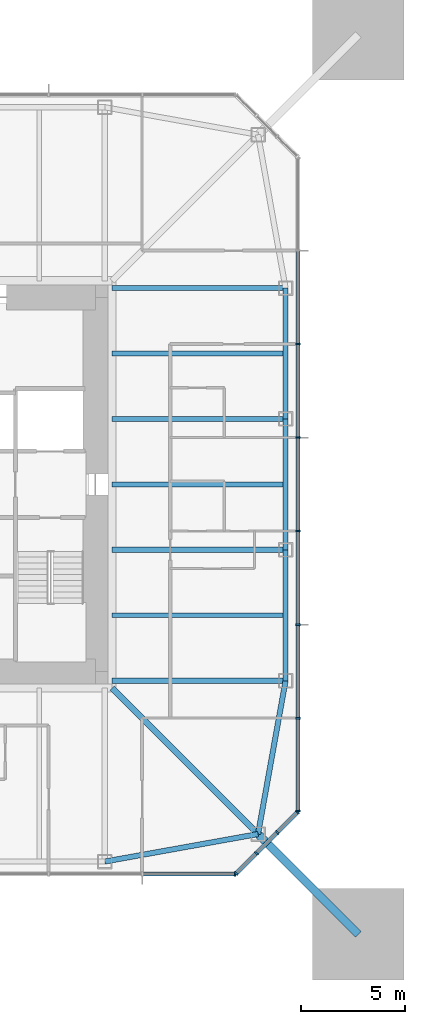
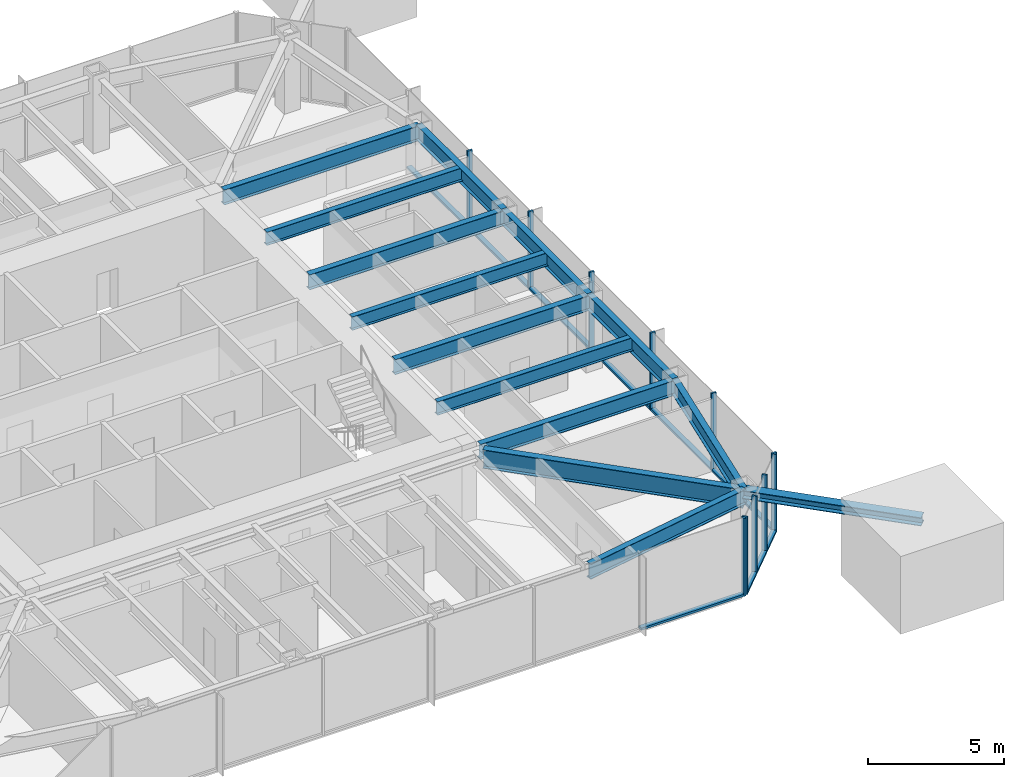
# One storey, part 3 of 11: 22 members, 13 beams, 3 elements without a shape of their own.
"""IFC4 building model written with IfcOpenShell, lengths in metres."""

from ifc_helpers import new_model, si_unit, direction, frame, origin, origin_2d, place, context, subcontext, project, spatial, rectangle, i_section, extrude, material, material_profile, profile_set, type_object, element, aggregate, save


model = new_model("IFC4")

# Units and contexts
model_context = context("Model", 3, precision=1e-05, world=origin(), true_north=direction((0.0, 1.0)))
body_context = subcontext(model_context, "Body", "Model", "MODEL_VIEW")
ifc_project = project(units=[si_unit("LENGTHUNIT", "METRE"), si_unit("AREAUNIT", "SQUARE_METRE"), si_unit("VOLUMEUNIT", "CUBIC_METRE"), si_unit("PLANEANGLEUNIT", "RADIAN"), si_unit("MASSUNIT", "GRAM", prefix="KILO")], contexts=[model_context])

# Site, building, storey
site_placement = place(None, origin())
site = spatial("IfcSite", under=ifc_project, at=site_placement, CompositionType="ELEMENT")
building_placement = place(site_placement, origin())
building = spatial("IfcBuilding", under=site, at=building_placement, Name="Iwan Alto Co-Living Towers", CompositionType="ELEMENT")
storey_placement = place(building_placement, frame((0.0, 0.0, 170.5)))
storey = spatial("IfcBuildingStorey", under=building, at=storey_placement, Name="L46", CompositionType="ELEMENT", Elevation=170.5)

# Curtain wall, member
ifc_material_1 = material(Name="Bronze aluminium unitised frame", Category="aluminium")
curtain_wall_type_1 = type_object("IfcCurtainWallType", Name="CURTAIN WALL CW-A", PredefinedType="NOTDEFINED", material=ifc_material_1)
curtain_wall_1_placement = place(storey_placement, origin())
curtain_wall_1 = element("IfcCurtainWall", 1, at=curtain_wall_1_placement, inside=storey, type_object=curtain_wall_type_1, Name="T1 curtain wall S L46", PredefinedType="NOTDEFINED")
ifc_material_2 = material(Name="Aluminium 6063-T6 bronze anodised", Category="aluminium")
ifc_material_profile_1 = material_profile(ifc_material_2, rectangle(XDim=0.199951171875, YDim=0.080078125, at=origin_2d()), Name="AL 80X200")
ifc_profile_set_1 = profile_set([ifc_material_profile_1], Name="Aluminium 6063-T6 bronze anodised")
member_type_1 = type_object("IfcMemberType", Name="CW-A MULLION 80X200", PredefinedType="MULLION", material=ifc_profile_set_1)
member_1_placement = place(storey_placement, frame((15.7099609375, -18.75, 0.0), z_axis=(0.0, 0.0, 1.0), x_axis=(0.0, 1.0, 0.0)))
member_1 = element("IfcMember", 2, at=member_1_placement, type_object=member_type_1, Name="CW-A mullion 8", PredefinedType="MULLION", context=body_context, shape_type="SweptSolid", body=[
    extrude(rectangle(XDim=0.199951171875, YDim=0.080078125, at=origin_2d()), origin(), (0.0, 0.0, 1.0), 3.5),
])

# Curtain wall, members
curtain_wall_2_placement = place(storey_placement, origin())
curtain_wall_2 = element("IfcCurtainWall", 3, at=curtain_wall_2_placement, inside=storey, type_object=curtain_wall_type_1, Name="T1 curtain wall E L46", PredefinedType="NOTDEFINED")
member_2_placement = place(storey_placement, frame((18.75, -15.7099609375, 0.0), z_axis=(0.0, 0.0, 1.0), x_axis=(-1.0, 0.0, 0.0)))
member_2 = element("IfcMember", 4, at=member_2_placement, type_object=member_type_1, Name="CW-A mullion 1", PredefinedType="MULLION", context=body_context, shape_type="SweptSolid", body=[
    extrude(rectangle(XDim=0.199951171875, YDim=0.080078125, at=origin_2d()), origin(), (0.0, 0.0, 1.0), 3.5),
])
member_3_placement = place(storey_placement, frame((18.75, -11.25, 0.0), z_axis=(0.0, 0.0, 1.0), x_axis=(-1.0, 0.0, 0.0)))
member_3 = element("IfcMember", 5, at=member_3_placement, type_object=member_type_1, Name="CW-A mullion 2", PredefinedType="MULLION", context=body_context, shape_type="SweptSolid", body=[
    extrude(rectangle(XDim=0.199951171875, YDim=0.080078125, at=origin_2d()), origin(), (0.0, 0.0, 1.0), 3.5),
])
member_4_placement = place(storey_placement, frame((18.75, -6.75, 0.0), z_axis=(0.0, 0.0, 1.0), x_axis=(-1.0, 0.0, 0.0)))
member_4 = element("IfcMember", 6, at=member_4_placement, type_object=member_type_1, Name="CW-A mullion 3", PredefinedType="MULLION", context=body_context, shape_type="SweptSolid", body=[
    extrude(rectangle(XDim=0.199951171875, YDim=0.080078125, at=origin_2d()), origin(), (0.0, 0.0, 1.0), 3.5),
])
member_5_placement = place(storey_placement, frame((18.75, -2.25, 0.0), z_axis=(0.0, 0.0, 1.0), x_axis=(-1.0, 0.0, 0.0)))
member_5 = element("IfcMember", 7, at=member_5_placement, type_object=member_type_1, Name="CW-A mullion 4", PredefinedType="MULLION", context=body_context, shape_type="SweptSolid", body=[
    extrude(rectangle(XDim=0.199951171875, YDim=0.080078125, at=origin_2d()), origin(), (0.0, 0.0, 1.0), 3.5),
])
member_6_placement = place(storey_placement, frame((18.75, 2.25, 0.0), z_axis=(0.0, 0.0, 1.0), x_axis=(-1.0, 0.0, 0.0)))
member_6 = element("IfcMember", 8, at=member_6_placement, type_object=member_type_1, Name="CW-A mullion 5", PredefinedType="MULLION", context=body_context, shape_type="SweptSolid", body=[
    extrude(rectangle(XDim=0.199951171875, YDim=0.080078125, at=origin_2d()), origin(), (0.0, 0.0, 1.0), 3.5),
])
member_7_placement = place(storey_placement, frame((18.75, 6.75, 0.0), z_axis=(0.0, 0.0, 1.0), x_axis=(-1.0, 0.0, 0.0)))
member_7 = element("IfcMember", 9, at=member_7_placement, type_object=member_type_1, Name="CW-A mullion 6", PredefinedType="MULLION", context=body_context, shape_type="SweptSolid", body=[
    extrude(rectangle(XDim=0.199951171875, YDim=0.080078125, at=origin_2d()), origin(), (0.0, 0.0, 1.0), 3.5),
])

# Member
ifc_material_3 = material(Name="Aluminium 6063-T6 bronze anodised", Category="aluminium")
ifc_material_profile_2 = material_profile(ifc_material_3, rectangle(XDim=0.199951171875, YDim=0.10009765625, at=origin_2d()), Name="AL 200X100")
ifc_profile_set_2 = profile_set([ifc_material_profile_2], Name="Aluminium 6063-T6 bronze anodised")
member_type_2 = type_object("IfcMemberType", Name="CW-A TRANSOM 200X100", PredefinedType="USERDEFINED", material=ifc_profile_set_2)
member_8_placement = place(storey_placement, frame((11.2900390625, -18.75, 0.050048828125), z_axis=(1.0, 0.0, 0.0), x_axis=(0.0, 1.0, 0.0)))
member_8 = element("IfcMember", 10, at=member_8_placement, type_object=member_type_2, Name="CW-A transom 7.1", ObjectType="TRANSOM", PredefinedType="USERDEFINED", context=body_context, shape_type="SweptSolid", body=[
    extrude(rectangle(XDim=0.199951171875, YDim=0.10009765625, at=origin_2d()), origin(), (0.0, 0.0, 1.0), 4.3798828125),
])

aggregate(curtain_wall_1, [member_1, member_8])

member_9_placement = place(storey_placement, frame((18.75, -15.669921875, 0.050048828125), z_axis=(0.0, 1.0, 0.0), x_axis=(-1.0, 0.0, 0.0)))
member_9 = element("IfcMember", 11, at=member_9_placement, type_object=member_type_2, Name="CW-A transom 1.1", ObjectType="TRANSOM", PredefinedType="USERDEFINED", context=body_context, shape_type="SweptSolid", body=[
    extrude(rectangle(XDim=0.199951171875, YDim=0.10009765625, at=origin_2d()), origin(), (0.0, 0.0, 1.0), 4.3798828125),
])

member_10_placement = place(storey_placement, frame((18.75, -11.2099609375, 0.050048828125), z_axis=(0.0, 1.0, 0.0), x_axis=(-1.0, 0.0, 0.0)))
member_10 = element("IfcMember", 12, at=member_10_placement, type_object=member_type_2, Name="CW-A transom 2.1", ObjectType="TRANSOM", PredefinedType="USERDEFINED", context=body_context, shape_type="SweptSolid", body=[
    extrude(rectangle(XDim=0.199951171875, YDim=0.10009765625, at=origin_2d()), origin(), (0.0, 0.0, 1.0), 4.419921875),
])

member_11_placement = place(storey_placement, frame((18.75, -6.7099609375, 0.050048828125), z_axis=(0.0, 1.0, 0.0), x_axis=(-1.0, 0.0, 0.0)))
member_11 = element("IfcMember", 13, at=member_11_placement, type_object=member_type_2, Name="CW-A transom 3.1", ObjectType="TRANSOM", PredefinedType="USERDEFINED", context=body_context, shape_type="SweptSolid", body=[
    extrude(rectangle(XDim=0.199951171875, YDim=0.10009765625, at=origin_2d()), origin(), (0.0, 0.0, 1.0), 4.419921875),
])

member_12_placement = place(storey_placement, frame((18.75, -2.2099609375, 0.050048828125), z_axis=(0.0, 1.0, 0.0), x_axis=(-1.0, 0.0, 0.0)))
member_12 = element("IfcMember", 14, at=member_12_placement, type_object=member_type_2, Name="CW-A transom 4.1", ObjectType="TRANSOM", PredefinedType="USERDEFINED", context=body_context, shape_type="SweptSolid", body=[
    extrude(rectangle(XDim=0.199951171875, YDim=0.10009765625, at=origin_2d()), origin(), (0.0, 0.0, 1.0), 4.419921875),
])

member_13_placement = place(storey_placement, frame((18.75, 2.2900390625, 0.050048828125), z_axis=(0.0, 1.0, 0.0), x_axis=(-1.0, 0.0, 0.0)))
member_13 = element("IfcMember", 15, at=member_13_placement, type_object=member_type_2, Name="CW-A transom 5.1", ObjectType="TRANSOM", PredefinedType="USERDEFINED", context=body_context, shape_type="SweptSolid", body=[
    extrude(rectangle(XDim=0.199951171875, YDim=0.10009765625, at=origin_2d()), origin(), (0.0, 0.0, 1.0), 4.419921875),
])

member_14_placement = place(storey_placement, frame((18.75, 6.7900390625, 0.050048828125), z_axis=(0.0, 1.0, 0.0), x_axis=(-1.0, 0.0, 0.0)))
member_14 = element("IfcMember", 16, at=member_14_placement, type_object=member_type_2, Name="CW-A transom 6.1", ObjectType="TRANSOM", PredefinedType="USERDEFINED", context=body_context, shape_type="SweptSolid", body=[
    extrude(rectangle(XDim=0.199951171875, YDim=0.10009765625, at=origin_2d()), origin(), (0.0, 0.0, 1.0), 4.419921875),
])

aggregate(curtain_wall_2, [member_2, member_3, member_4, member_5, member_6, member_7, member_9, member_10, member_11, member_12, member_13, member_14])

# Curtain wall, members
ifc_material_4 = material(Name="Bronze aluminium unitised frame", Category="aluminium")
curtain_wall_type_2 = type_object("IfcCurtainWallType", Name="CURTAIN WALL CW-B", PredefinedType="NOTDEFINED", material=ifc_material_4)
curtain_wall_3_placement = place(storey_placement, origin())
curtain_wall_3 = element("IfcCurtainWall", 17, at=curtain_wall_3_placement, inside=storey, type_object=curtain_wall_type_2, Name="T1 chamfer curtain wall SE L46", PredefinedType="NOTDEFINED")
ifc_material_5 = material(Name="Aluminium 6063-T6 bronze anodised", Category="aluminium")
ifc_material_profile_3 = material_profile(ifc_material_5, rectangle(XDim=0.199951171875, YDim=0.080078125, at=origin_2d()), Name="AL 80X200")
ifc_profile_set_3 = profile_set([ifc_material_profile_3], Name="Aluminium 6063-T6 bronze anodised")
member_type_3 = type_object("IfcMemberType", Name="CW-B MULLION 80X200", PredefinedType="MULLION", material=ifc_profile_set_3)
member_15_placement = place(storey_placement, frame((15.7783203125, -18.7216796875, 0.0), z_axis=(0.0, 0.0, 1.0), x_axis=(-0.707106781187, 0.707106781187, 0.0)))
member_15 = element("IfcMember", 18, at=member_15_placement, type_object=member_type_3, Name="CW-B mullion 1", PredefinedType="MULLION", context=body_context, shape_type="SweptSolid", body=[
    extrude(rectangle(XDim=0.199951171875, YDim=0.080078125, at=origin_2d()), origin(), (0.0, 0.0, 1.0), 3.5),
])
member_16_placement = place(storey_placement, frame((16.75, -17.75, 0.0), z_axis=(0.0, 0.0, 1.0), x_axis=(-0.707106781187, 0.707106781187, 0.0)))
member_16 = element("IfcMember", 19, at=member_16_placement, type_object=member_type_3, Name="CW-B mullion 2", PredefinedType="MULLION", context=body_context, shape_type="SweptSolid", body=[
    extrude(rectangle(XDim=0.199951171875, YDim=0.080078125, at=origin_2d()), origin(), (0.0, 0.0, 1.0), 3.5),
])
member_17_placement = place(storey_placement, frame((17.75, -16.75, 0.0), z_axis=(0.0, 0.0, 1.0), x_axis=(-0.707106781187, 0.707106781187, 0.0)))
member_17 = element("IfcMember", 20, at=member_17_placement, type_object=member_type_3, Name="CW-B mullion 3", PredefinedType="MULLION", context=body_context, shape_type="SweptSolid", body=[
    extrude(rectangle(XDim=0.199951171875, YDim=0.080078125, at=origin_2d()), origin(), (0.0, 0.0, 1.0), 3.5),
])
member_18_placement = place(storey_placement, frame((18.7216796875, -15.7783203125, 0.0), z_axis=(0.0, 0.0, 1.0), x_axis=(-0.707106781187, 0.707106781187, 0.0)))
member_18 = element("IfcMember", 21, at=member_18_placement, type_object=member_type_3, Name="CW-B mullion 4", PredefinedType="MULLION", context=body_context, shape_type="SweptSolid", body=[
    extrude(rectangle(XDim=0.199951171875, YDim=0.080078125, at=origin_2d()), origin(), (0.0, 0.0, 1.0), 3.5),
])
ifc_material_6 = material(Name="Aluminium 6063-T6 bronze anodised", Category="aluminium")
ifc_material_profile_4 = material_profile(ifc_material_6, rectangle(XDim=0.199951171875, YDim=0.10009765625, at=origin_2d()), Name="AL 200X100")
ifc_profile_set_4 = profile_set([ifc_material_profile_4], Name="Aluminium 6063-T6 bronze anodised")
member_type_4 = type_object("IfcMemberType", Name="CW-B TRANSOM 200X100", PredefinedType="USERDEFINED", material=ifc_profile_set_4)
member_19_placement = place(storey_placement, frame((15.806640625, -18.693359375, 0.050048828125), z_axis=(0.707106781187, 0.707106781187, 0.0), x_axis=(-0.707106781187, 0.707106781187, 0.0)))
member_19 = element("IfcMember", 22, at=member_19_placement, type_object=member_type_4, Name="CW-B transom 1.1", ObjectType="TRANSOM", PredefinedType="USERDEFINED", context=body_context, shape_type="SweptSolid", body=[
    extrude(rectangle(XDim=0.199951171875, YDim=0.10009765625, at=origin_2d()), origin(), (0.0, 0.0, 1.0), 1.2939453125),
])
member_20_placement = place(storey_placement, frame((16.7783203125, -17.7216796875, 0.050048828125), z_axis=(0.707106781187, 0.707106781187, 0.0), x_axis=(-0.707106781187, 0.707106781187, 0.0)))
member_20 = element("IfcMember", 23, at=member_20_placement, type_object=member_type_4, Name="CW-B transom 2.1", ObjectType="TRANSOM", PredefinedType="USERDEFINED", context=body_context, shape_type="SweptSolid", body=[
    extrude(rectangle(XDim=0.199951171875, YDim=0.10009765625, at=origin_2d()), origin(), (0.0, 0.0, 1.0), 1.334228515625),
])
member_21_placement = place(storey_placement, frame((17.7783203125, -16.7216796875, 0.050048828125), z_axis=(0.707106781187, 0.707106781187, 0.0), x_axis=(-0.707106781187, 0.707106781187, 0.0)))
member_21 = element("IfcMember", 24, at=member_21_placement, type_object=member_type_4, Name="CW-B transom 3.1", ObjectType="TRANSOM", PredefinedType="USERDEFINED", context=body_context, shape_type="SweptSolid", body=[
    extrude(rectangle(XDim=0.199951171875, YDim=0.10009765625, at=origin_2d()), origin(), (0.0, 0.0, 1.0), 1.2939453125),
])
aggregate(curtain_wall_3, [member_15, member_16, member_17, member_18, member_19, member_20, member_21])

# Beams
ifc_material_7 = material(Name="Steel ASTM A992 Gr 50", Category="steel")
ifc_material_profile_5 = material_profile(ifc_material_7, i_section(OverallWidth=0.2919921875, OverallDepth=0.8408203125, WebThickness=0.0146484375, FlangeThickness=0.021728515625, at=origin_2d()), Name="W33X130")
ifc_profile_set_5 = profile_set([ifc_material_profile_5], Name="Steel ASTM A992 Gr 50")
beam_type_1 = type_object("IfcBeamType", Name="T1 CORNER GIRDER W33X130", PredefinedType="BEAM", material=ifc_profile_set_5)
beam_1_placement = place(storey_placement, frame((16.82568359375, -16.82568359375, 2.849609375), z_axis=(-0.707106781187, 0.707106781187, 0.0), x_axis=(-0.707106781187, -0.707106781187, 0.0)))
element("IfcBeam", 25, at=beam_1_placement, inside=storey, type_object=beam_type_1, Name="T1 corner girder CSE L47", PredefinedType="BEAM", context=body_context, shape_type="SweptSolid", body=[
    extrude(i_section(OverallWidth=0.2919921875, OverallDepth=0.8408203125, WebThickness=0.0146484375, FlangeThickness=0.021728515625, at=origin_2d()), origin(), (0.0, 0.0, 1.0), 9.936767578125),
])
ifc_material_8 = material(Name="Steel ASTM A992 Gr 50", Category="steel")
ifc_material_profile_6 = material_profile(ifc_material_8, i_section(OverallWidth=0.25390625, OverallDepth=0.683349609375, WebThickness=0.012451171875, FlangeThickness=0.018798828125, at=origin_2d()), Name="W27X94")
ifc_profile_set_6 = profile_set([ifc_material_profile_6], Name="Steel ASTM A992 Gr 50")
beam_type_2 = type_object("IfcBeamType", Name="T1 EDGE BEAM W27X94", PredefinedType="BEAM", material=ifc_profile_set_6)
for number, where, z_axis, x_axis, name in (
    (26, (9.449951171875, -18.14990234375, 2.928466796875), (0.98426263553, 0.17671181143, 0.0), (-0.17671181143, 0.98426263553, 0.0), "T1 edge beam S4 L47"),
    (27, (16.82568359375, -16.82568359375, 2.928466796875), (0.17671181143, 0.98426263553, 0.0), (-0.98426263553, 0.17671181143, 0.0), "T1 edge beam CSE L47"),
):
    element("IfcBeam", number, at=place(storey_placement, frame(where, z_axis=z_axis, x_axis=x_axis)), inside=storey, type_object=beam_type_2, Name=name, PredefinedType="BEAM", context=body_context, shape_type="SweptSolid", body=[
        extrude(i_section(OverallWidth=0.25390625, OverallDepth=0.683349609375, WebThickness=0.012451171875, FlangeThickness=0.018798828125, at=origin_2d()), origin(), (0.0, 0.0, 1.0), 7.49365234375),
    ])
beam_2_placement = place(storey_placement, frame((18.14990234375, -9.449951171875, 2.928466796875), z_axis=(0.0, 1.0, 0.0), x_axis=(-1.0, 0.0, 0.0)))
element("IfcBeam", 28, at=beam_2_placement, inside=storey, type_object=beam_type_2, Name="T1 edge beam E1 L47", PredefinedType="BEAM", context=body_context, shape_type="SweptSolid", body=[
    extrude(i_section(OverallWidth=0.25390625, OverallDepth=0.683349609375, WebThickness=0.012451171875, FlangeThickness=0.018798828125, at=origin_2d()), origin(), (0.0, 0.0, 1.0), 6.300048828125),
])
beam_3_placement = place(storey_placement, frame((18.14990234375, -3.14990234375, 2.928466796875), z_axis=(0.0, 1.0, 0.0), x_axis=(-1.0, 0.0, 0.0)))
element("IfcBeam", 29, at=beam_3_placement, inside=storey, type_object=beam_type_2, Name="T1 edge beam E2 L47", PredefinedType="BEAM", context=body_context, shape_type="SweptSolid", body=[
    extrude(i_section(OverallWidth=0.25390625, OverallDepth=0.683349609375, WebThickness=0.012451171875, FlangeThickness=0.018798828125, at=origin_2d()), origin(), (0.0, 0.0, 1.0), 6.2998046875),
])
beam_4_placement = place(storey_placement, frame((18.14990234375, 3.14990234375, 2.928466796875), z_axis=(0.0, 1.0, 0.0), x_axis=(-1.0, 0.0, 0.0)))
element("IfcBeam", 30, at=beam_4_placement, inside=storey, type_object=beam_type_2, Name="T1 edge beam E3 L47", PredefinedType="BEAM", context=body_context, shape_type="SweptSolid", body=[
    extrude(i_section(OverallWidth=0.25390625, OverallDepth=0.683349609375, WebThickness=0.012451171875, FlangeThickness=0.018798828125, at=origin_2d()), origin(), (0.0, 0.0, 1.0), 6.300048828125),
])

# Member
ifc_material_9 = material(Name="Steel ASTM A992 Gr 50", Category="steel")
ifc_material_profile_7 = material_profile(ifc_material_9, i_section(OverallWidth=0.393798828125, OverallDepth=0.3759765625, WebThickness=0.017333984375, FlangeThickness=0.027587890625, at=origin_2d()), Name="W14X145")
ifc_profile_set_7 = profile_set([ifc_material_profile_7], Name="Steel ASTM A992 Gr 50")
member_type_5 = type_object("IfcMemberType", Name="T1 MEGA COLUMN FLOOR TIE W14X145", PredefinedType="STRUT", material=ifc_profile_set_7)
member_22_placement = place(storey_placement, frame((21.64990234375, -21.64990234375, 3.08203125), z_axis=(-0.707106781187, 0.707106781187, 0.0), x_axis=(-0.707106781187, -0.707106781187, 0.0)))
element("IfcMember", 31, at=member_22_placement, inside=storey, type_object=member_type_5, Name="T1 mega column floor tie SE L47", PredefinedType="STRUT", context=body_context, shape_type="SweptSolid", body=[
    extrude(i_section(OverallWidth=0.393798828125, OverallDepth=0.3759765625, WebThickness=0.017333984375, FlangeThickness=0.027587890625, at=origin_2d()), origin(), (0.0, 0.0, 1.0), 6.822509765625),
])

# Beams
ifc_material_10 = material(Name="Steel ASTM A992 Gr 50", Category="steel")
ifc_material_profile_8 = material_profile(ifc_material_10, i_section(OverallWidth=0.25390625, OverallDepth=0.683349609375, WebThickness=0.012451171875, FlangeThickness=0.018798828125, at=origin_2d()), Name="W27X94")
ifc_profile_set_8 = profile_set([ifc_material_profile_8], Name="Steel ASTM A992 Gr 50")
beam_type_3 = type_object("IfcBeamType", Name="T1 RADIAL BEAM W27X94", PredefinedType="BEAM", material=ifc_profile_set_8)
for number, where, z_axis, x_axis, name in (
    (32, (18.14990234375, -9.449951171875, 2.928466796875), (-1.0, 0.0, 0.0), (0.0, -1.0, 0.0), "T1 radial beam E1 L47"),
    (33, (18.14990234375, -3.14990234375, 2.928466796875), (-1.0, 0.0, 0.0), (0.0, -1.0, 0.0), "T1 radial beam E2 L47"),
    (34, (18.14990234375, 3.14990234375, 2.928466796875), (-1.0, 0.0, 0.0), (0.0, -1.0, 0.0), "T1 radial beam E3 L47"),
    (35, (18.14990234375, 9.449951171875, 2.928466796875), (-1.0, 0.0, 0.0), (0.0, -1.0, 0.0), "T1 radial beam E4 L47"),
):
    element("IfcBeam", number, at=place(storey_placement, frame(where, z_axis=z_axis, x_axis=x_axis)), inside=storey, type_object=beam_type_3, Name=name, PredefinedType="BEAM", context=body_context, shape_type="SweptSolid", body=[
        extrude(i_section(OverallWidth=0.25390625, OverallDepth=0.683349609375, WebThickness=0.012451171875, FlangeThickness=0.018798828125, at=origin_2d()), origin(), (0.0, 0.0, 1.0), 8.3505859375),
    ])
ifc_material_11 = material(Name="Steel ASTM A992 Gr 50", Category="steel")
ifc_material_profile_9 = material_profile(ifc_material_11, i_section(OverallWidth=0.228271484375, OverallDepth=0.607177734375, WebThickness=0.01123046875, FlangeThickness=0.017333984375, at=origin_2d()), Name="W24X76")
ifc_profile_set_9 = profile_set([ifc_material_profile_9], Name="Steel ASTM A992 Gr 50")
beam_type_4 = type_object("IfcBeamType", Name="T1 SECONDARY BEAM W24X76", PredefinedType="JOIST", material=ifc_profile_set_9)
for number, where, z_axis, x_axis, name in (
    (36, (18.14990234375, -6.300048828125, 2.966552734375), (-1.0, 0.0, 0.0), (0.0, -1.0, 0.0), "T1 secondary beam E1 L47"),
    (37, (18.14990234375, 0.0, 2.966552734375), (-1.0, 0.0, 0.0), (0.0, -1.0, 0.0), "T1 secondary beam E2 L47"),
    (38, (18.14990234375, 6.300048828125, 2.966552734375), (-1.0, 0.0, 0.0), (0.0, -1.0, 0.0), "T1 secondary beam E3 L47"),
):
    element("IfcBeam", number, at=place(storey_placement, frame(where, z_axis=z_axis, x_axis=x_axis)), inside=storey, type_object=beam_type_4, Name=name, PredefinedType="JOIST", context=body_context, shape_type="SweptSolid", body=[
        extrude(i_section(OverallWidth=0.228271484375, OverallDepth=0.607177734375, WebThickness=0.01123046875, FlangeThickness=0.017333984375, at=origin_2d()), origin(), (0.0, 0.0, 1.0), 8.3505859375),
    ])

save(model, "model.ifc")
